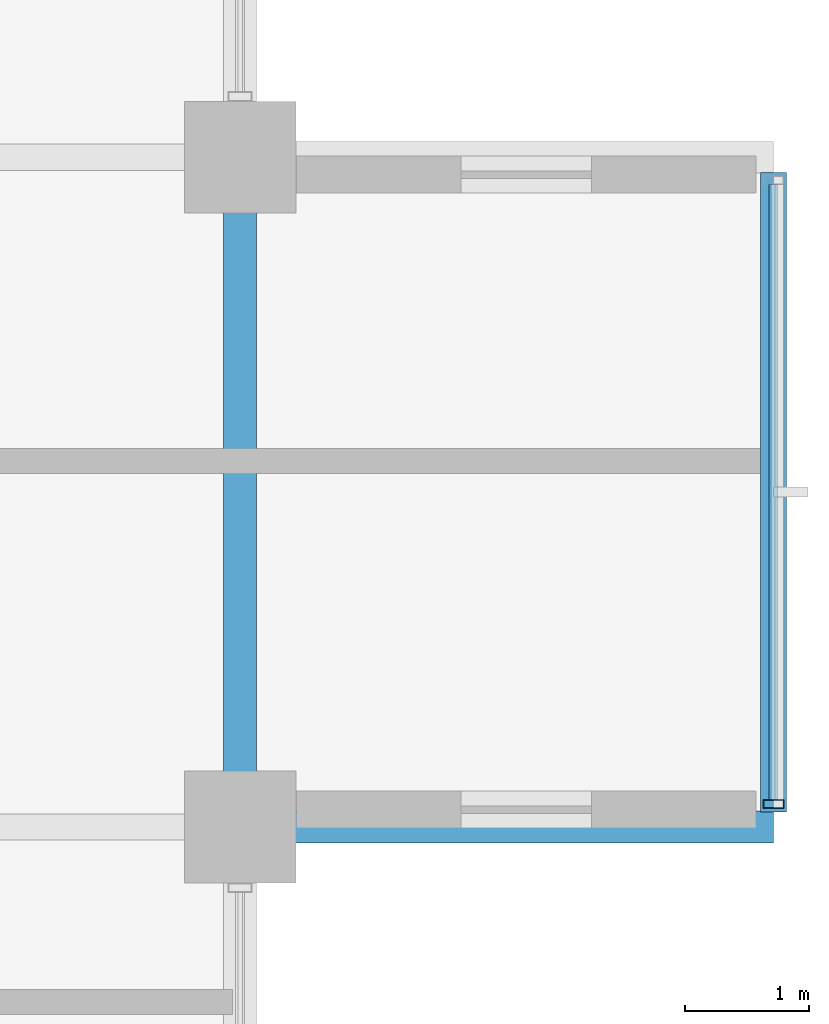
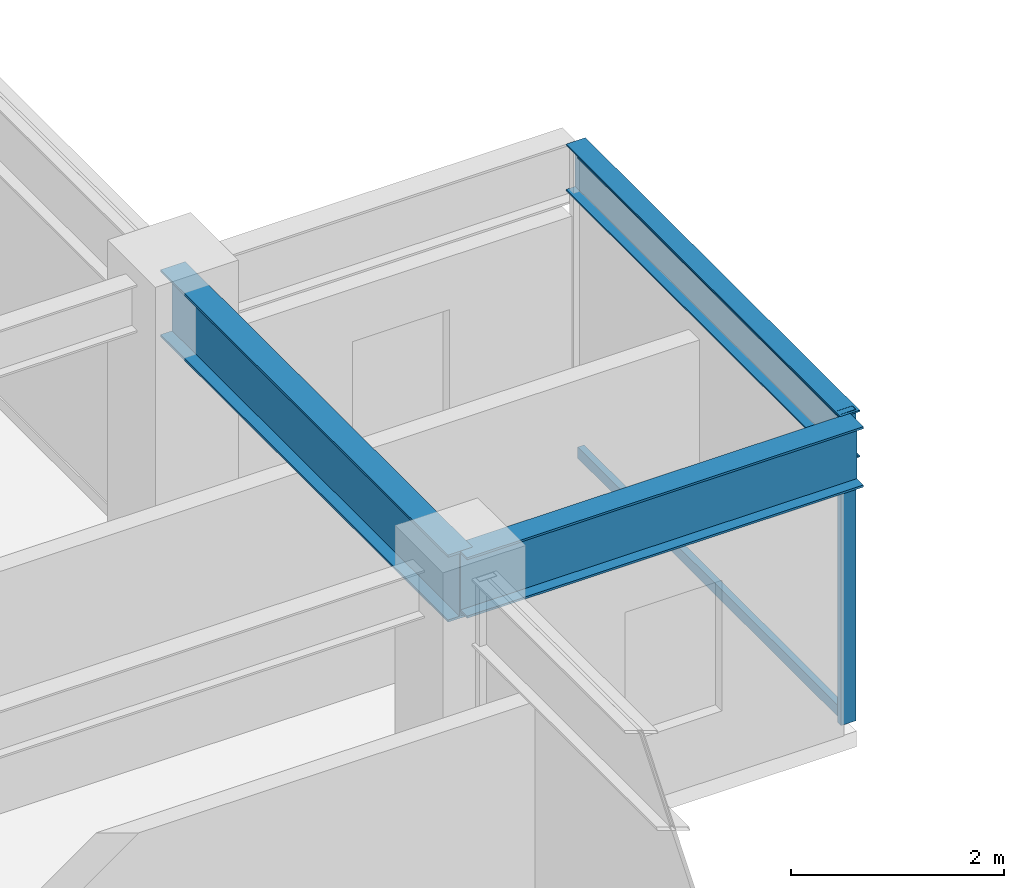
# One storey, part 12 of 28: 3 beams, 3 members, 1 element without a shape of its own.
"""IFC4 building model written with IfcOpenShell, lengths in metres."""

from ifc_helpers import new_model, si_unit, direction, frame, origin, origin_2d, place, context, subcontext, project, spatial, hollow_rectangle, i_section, extrude, material, layer, layer_set, material_profile, profile_set, type_object, element, aggregate, save


model = new_model("IFC4")

# Units and contexts
model_context = context("Model", 3, precision=1e-05, world=origin(), true_north=direction((0.0, 1.0)))
body_context = subcontext(model_context, "Body", "Model", "MODEL_VIEW")
ifc_project = project(units=[si_unit("LENGTHUNIT", "METRE"), si_unit("AREAUNIT", "SQUARE_METRE"), si_unit("VOLUMEUNIT", "CUBIC_METRE"), si_unit("PLANEANGLEUNIT", "RADIAN"), si_unit("MASSUNIT", "GRAM", prefix="KILO")], contexts=[model_context])

# Site, building, storey
site_placement = place(None, origin())
site = spatial("IfcSite", under=ifc_project, at=site_placement, CompositionType="ELEMENT")
building_placement = place(site_placement, origin())
building = spatial("IfcBuilding", under=site, at=building_placement, Name="Surkhivell Harbour Commons", CompositionType="ELEMENT")
storey_placement = place(building_placement, frame((0.0, 0.0, 178.5)))
storey = spatial("IfcBuildingStorey", under=building, at=storey_placement, Name="L46", CompositionType="ELEMENT", Elevation=178.5)

# Beams
ifc_material_1 = material(Name="Steel S460", Category="steel")
ifc_material_profile_1 = material_profile(ifc_material_1, i_section(OverallWidth=0.256103515625, OverallDepth=0.693115234375, WebThickness=0.014404296875, FlangeThickness=0.023681640625, at=origin_2d()), Name="UB686x254x170")
ifc_profile_set_1 = profile_set([ifc_material_profile_1], Name="Steel S460")
beam_type_1 = type_object("IfcBeamType", Name="BM-CNT-686", PredefinedType="BEAM", material=ifc_profile_set_1)
beam_1_placement = place(storey_placement, frame((21.60009765625, 5.39990234375, 3.223388671875), z_axis=(1.0, 0.0, 0.0), x_axis=(0.0, 1.0, 0.0)))
element("IfcBeam", 1, at=beam_1_placement, inside=storey, type_object=beam_type_1, Name="L46 Box Cantilever Outrigger (21.6,5.4)", PredefinedType="BEAM", context=body_context, shape_type="SweptSolid", body=[
    extrude(i_section(OverallWidth=0.256103515625, OverallDepth=0.693115234375, WebThickness=0.014404296875, FlangeThickness=0.023681640625, at=origin_2d()), origin(), (0.0, 0.0, 1.0), 4.2998046875),
])
ifc_material_2 = material(Name="Steel S355", Category="steel")
ifc_material_profile_2 = material_profile(ifc_material_2, i_section(OverallWidth=0.2099609375, OverallDepth=0.537109375, WebThickness=0.0107421875, FlangeThickness=0.017333984375, at=origin_2d()), Name="UB533x210x101")
ifc_profile_set_2 = profile_set([ifc_material_profile_2], Name="Steel S355")
beam_type_2 = type_object("IfcBeamType", Name="BM-GRD-533B", PredefinedType="BEAM", material=ifc_profile_set_2)
beam_2_placement = place(storey_placement, frame((25.89990234375, 5.52197265625, 3.301513671875), z_axis=(0.0, 1.0, 0.0), x_axis=(-1.0, 0.0, 0.0)))
element("IfcBeam", 2, at=beam_2_placement, inside=storey, type_object=beam_type_2, Name="L46 Box Rim Spandrel (25.9,5.4)", PredefinedType="BEAM", context=body_context, shape_type="SweptSolid", body=[
    extrude(i_section(OverallWidth=0.2099609375, OverallDepth=0.537109375, WebThickness=0.0107421875, FlangeThickness=0.017333984375, at=origin_2d()), origin(), (0.0, 0.0, 1.0), 5.156005859375),
])
ifc_material_profile_3 = material_profile(ifc_material_2, i_section(OverallWidth=0.26806640625, OverallDepth=0.77001953125, WebThickness=0.015625, FlangeThickness=0.025390625, at=origin_2d()), Name="UB762x267x197")
ifc_profile_set_3 = profile_set([ifc_material_profile_3], Name="Steel S355")
beam_type_3 = type_object("IfcBeamType", Name="BM-SPN-762", PredefinedType="SPANDREL", material=ifc_profile_set_3)
beam_3_placement = place(storey_placement, frame((21.60009765625, 5.39990234375, 3.18505859375), z_axis=(0.0, 1.0, 0.0), x_axis=(-1.0, 0.0, 0.0)))
element("IfcBeam", 3, at=beam_3_placement, inside=storey, type_object=beam_type_3, Name="L46 Tube Spandrel (21.6,5.4)", PredefinedType="SPANDREL", context=body_context, shape_type="SweptSolid", body=[
    extrude(i_section(OverallWidth=0.26806640625, OverallDepth=0.77001953125, WebThickness=0.015625, FlangeThickness=0.025390625, at=origin_2d()), origin(), (0.0, 0.0, 1.0), 5.400146484375),
])

# Curtain wall, members
ifc_material_3 = material(Name="Anodised pale-metal aluminium and insulated glazing", Category="aluminium")
ifc_layer = layer(ifc_material_3, 0.1650390625)
ifc_layer_set = layer_set([ifc_layer], Name="Anodised pale-metal aluminium and insulated glazing")
curtain_wall_type = type_object("IfcCurtainWallType", Name="CW-SYS-BOX", PredefinedType="NOTDEFINED", material=ifc_layer_set)
curtain_wall_placement = place(storey_placement, origin())
curtain_wall = element("IfcCurtainWall", 4, at=curtain_wall_placement, inside=storey, type_object=curtain_wall_type, Name="L46 Curtain Wall CW-L46-BOX01", PredefinedType="NOTDEFINED")
ifc_material_4 = material(Name="Champagne anodised aluminium alloy 6063-T6", Category="aluminium")
ifc_material_profile_4 = material_profile(ifc_material_4, hollow_rectangle(XDim=0.070068359375, YDim=0.1650390625, WallThickness=0.00341796875, at=origin_2d()), Name="ALU-MULL-70x165")
ifc_profile_set_4 = profile_set([ifc_material_profile_4], Name="Champagne anodised aluminium alloy 6063-T6")
member_type_1 = type_object("IfcMemberType", Name="CWM-165", PredefinedType="MULLION", material=ifc_profile_set_4)
member_1_placement = place(storey_placement, frame((25.89990234375, 5.5849609375, 0.0), z_axis=(0.0, 0.0, 1.0), x_axis=(0.0, 1.0, 0.0)))
member_1 = element("IfcMember", 5, at=member_1_placement, type_object=member_type_1, Name="CW-BOX mullion 1", PredefinedType="MULLION", context=body_context, shape_type="SweptSolid", body=[
    extrude(hollow_rectangle(XDim=0.070068359375, YDim=0.1650390625, WallThickness=0.00341796875, at=origin_2d()), origin(), (0.0, 0.0, 1.0), 3.570068359375),
])
ifc_material_profile_5 = material_profile(ifc_material_4, hollow_rectangle(XDim=0.070068359375, YDim=0.1298828125, WallThickness=0.00341796875, at=origin_2d()), Name="ALU-TRAN-70x130")
ifc_profile_set_5 = profile_set([ifc_material_profile_5], Name="Champagne anodised aluminium alloy 6063-T6")
member_type_2 = type_object("IfcMemberType", Name="CWT-130", PredefinedType="USERDEFINED", material=ifc_profile_set_5)
member_2_placement = place(storey_placement, frame((25.89990234375, 5.6201171875, 0.06494140625), z_axis=(0.0, 1.0, 0.0), x_axis=(-1.0, 0.0, 0.0)))
member_2 = element("IfcMember", 6, at=member_2_placement, type_object=member_type_2, Name="CW-BOX transom 1.1", ObjectType="TRANSOM", PredefinedType="USERDEFINED", context=body_context, shape_type="SweptSolid", body=[
    extrude(hollow_rectangle(XDim=0.070068359375, YDim=0.1298828125, WallThickness=0.00341796875, at=origin_2d()), origin(), (0.0, 0.0, 1.0), 4.9599609375),
])
member_3_placement = place(storey_placement, frame((25.89990234375, 5.6201171875, 3.5048828125), z_axis=(0.0, 1.0, 0.0), x_axis=(-1.0, 0.0, 0.0)))
member_3 = element("IfcMember", 7, at=member_3_placement, type_object=member_type_2, Name="CW-BOX transom 1.2", ObjectType="TRANSOM", PredefinedType="USERDEFINED", context=body_context, shape_type="SweptSolid", body=[
    extrude(hollow_rectangle(XDim=0.070068359375, YDim=0.1298828125, WallThickness=0.00341796875, at=origin_2d()), origin(), (0.0, 0.0, 1.0), 4.9599609375),
])
aggregate(curtain_wall, [member_1, member_2, member_3])

save(model, "model.ifc")
